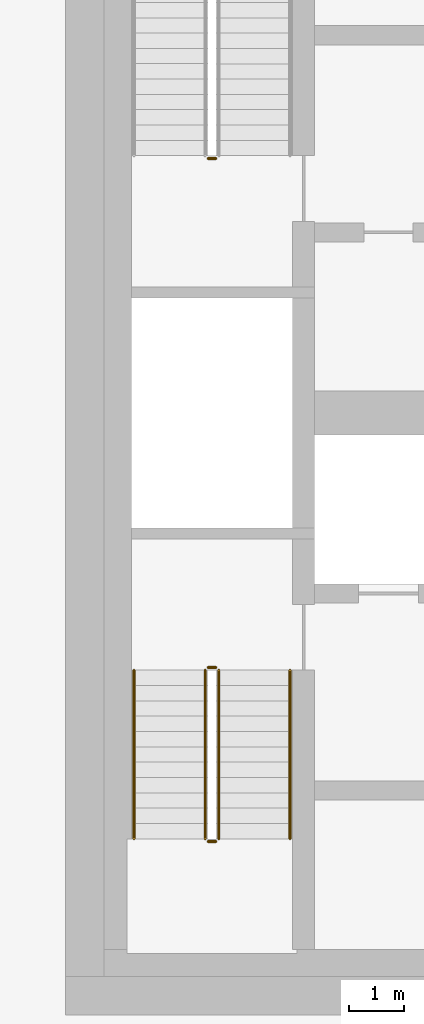
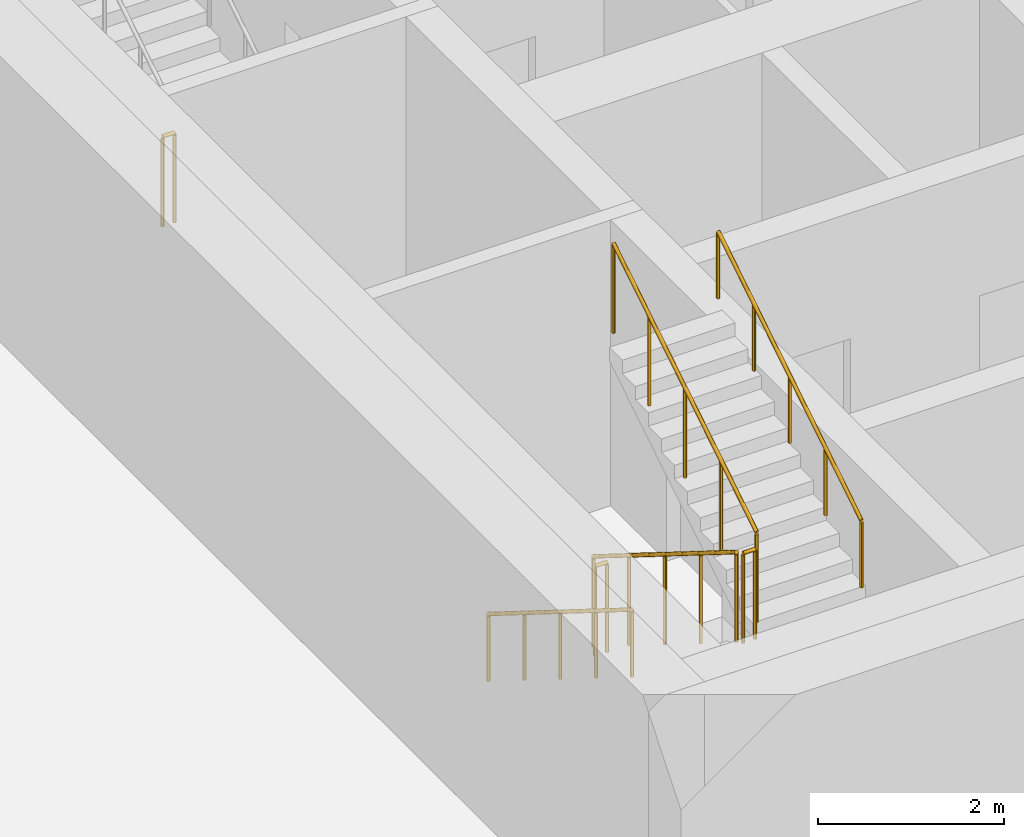
# One storey, part 16 of 21: 7 railings.
"""IFC4 building model written with IfcOpenShell, lengths in metres."""

from ifc_helpers import new_model, si_unit, direction, frame, origin, origin_2d, place, context, subcontext, project, spatial, circle, extrude, material, type_object, element, save


model = new_model("IFC4")

# Units and contexts
model_context = context("Model", 3, precision=1e-05, world=origin(), true_north=direction((0.0, 1.0)))
body_context = subcontext(model_context, "Body", "Model", "MODEL_VIEW")
ifc_project = project(units=[si_unit("LENGTHUNIT", "METRE"), si_unit("AREAUNIT", "SQUARE_METRE"), si_unit("VOLUMEUNIT", "CUBIC_METRE"), si_unit("PLANEANGLEUNIT", "RADIAN"), si_unit("MASSUNIT", "GRAM", prefix="KILO")], contexts=[model_context])

# Site, building, storey
site_placement = place(None, origin())
site = spatial("IfcSite", under=ifc_project, at=site_placement, CompositionType="ELEMENT")
building_placement = place(site_placement, origin())
building = spatial("IfcBuilding", under=site, at=building_placement, Name="Dongbaek Canopy Tower", CompositionType="ELEMENT")
storey_placement = place(building_placement, frame((0.0, 0.0, 232.800048828125)))
storey = spatial("IfcBuildingStorey", under=building, at=storey_placement, Name="L48", CompositionType="ELEMENT", Elevation=232.800048828125)

# Railings
ifc_material_1 = material(Name="Stainless steel tube and balusters", Category="steel")
railing_type_1 = type_object("IfcRailingType", Name="Stair guard 1200", PredefinedType="GUARDRAIL", material=ifc_material_1)
railing_1_placement = place(storey_placement, frame((-11.25, 4.64990234375, 0.0)))
element("IfcRailing", 1, at=railing_1_placement, inside=storey, type_object=railing_type_1, Name="L48 ST-C stair guard 4", PredefinedType="GUARDRAIL", context=body_context, shape_type="SweptSolid", body=[
    extrude(circle(Radius=0.02392578125, at=origin_2d()), frame((0.0, 0.0, 1.17578125), z_axis=(-1.0, 0.0, 0.0), x_axis=(0.0, -1.0, 0.0)), (0.0, 0.0, 1.0), 0.14990234375),
    extrude(circle(Radius=0.02099609375, at=origin_2d()), origin(), (0.0, 0.0, 1.0), 1.15185546875),
    extrude(circle(Radius=0.02099609375, at=origin_2d()), frame((-0.14990234375, 0.0, 0.0)), (0.0, 0.0, 1.0), 1.15185546875),
])
railing_2_placement = place(storey_placement, frame((-11.449951171875, -4.699951171875, 0.175048828125)))
element("IfcRailing", 2, at=railing_2_placement, inside=storey, type_object=railing_type_1, Name="L48 ST-D stair guard 1", PredefinedType="GUARDRAIL", context=body_context, shape_type="SweptSolid", body=[
    extrude(circle(Radius=0.02392578125, at=origin_2d()), frame((0.0, 0.0, 1.17578125), z_axis=(0.0, -0.848028513186, 0.529950602248), x_axis=(1.0, 0.0, 0.0)), (0.0, 0.0, 1.0), 3.632080078125),
    extrude(circle(Radius=0.02099609375, at=origin_2d()), origin(), (0.0, 0.0, 1.0), 1.15185546875),
    extrude(circle(Radius=0.02099609375, at=origin_2d()), frame((0.0, -0.77001953125, 0.481201171875)), (0.0, 0.0, 1.0), 1.15185546875),
    extrude(circle(Radius=0.02099609375, at=origin_2d()), frame((0.0, -1.5400390625, 0.96240234375)), (0.0, 0.0, 1.0), 1.15185546875),
    extrude(circle(Radius=0.02099609375, at=origin_2d()), frame((0.0, -2.31005859375, 1.443603515625)), (0.0, 0.0, 1.0), 1.15185546875),
    extrude(circle(Radius=0.02099609375, at=origin_2d()), frame((0.0, -3.080078125, 1.9248046875)), (0.0, 0.0, 1.0), 1.15185546875),
])
railing_3_placement = place(storey_placement, frame((-11.39990234375, -7.830078125, 2.099853515625)))
element("IfcRailing", 3, at=railing_3_placement, inside=storey, type_object=railing_type_1, Name="L48 ST-D stair guard 2", PredefinedType="GUARDRAIL", context=body_context, shape_type="SweptSolid", body=[
    extrude(circle(Radius=0.02392578125, at=origin_2d()), frame((0.0, 0.0, 1.17578125), z_axis=(1.0, 0.0, 0.0), x_axis=(0.0, 1.0, 0.0)), (0.0, 0.0, 1.0), 0.14990234375),
    extrude(circle(Radius=0.02099609375, at=origin_2d()), origin(), (0.0, 0.0, 1.0), 1.15185546875),
    extrude(circle(Radius=0.02099609375, at=origin_2d()), frame((0.14990234375, 0.0, 0.0)), (0.0, 0.0, 1.0), 1.15185546875),
])
railing_4_placement = place(storey_placement, frame((-11.199951171875, -7.780029296875, 2.27490234375)))
element("IfcRailing", 4, at=railing_4_placement, inside=storey, type_object=railing_type_1, Name="L48 ST-D stair guard 3", PredefinedType="GUARDRAIL", context=body_context, shape_type="SweptSolid", body=[
    extrude(circle(Radius=0.02392578125, at=origin_2d()), frame((0.0, 0.0, 1.17578125), z_axis=(0.0, 0.847998304005, 0.529998940003), x_axis=(-1.0, 0.0, 0.0)), (0.0, 0.0, 1.0), 3.632080078125),
    extrude(circle(Radius=0.02099609375, at=origin_2d()), origin(), (0.0, 0.0, 1.0), 1.15185546875),
    extrude(circle(Radius=0.02099609375, at=origin_2d()), frame((0.0, 0.77001953125, 0.481201171875)), (0.0, 0.0, 1.0), 1.15185546875),
    extrude(circle(Radius=0.02099609375, at=origin_2d()), frame((0.0, 1.5400390625, 0.96240234375)), (0.0, 0.0, 1.0), 1.15185546875),
    extrude(circle(Radius=0.02099609375, at=origin_2d()), frame((0.0, 2.31005859375, 1.44384765625)), (0.0, 0.0, 1.0), 1.15185546875),
    extrude(circle(Radius=0.02099609375, at=origin_2d()), frame((0.0, 3.080078125, 1.925048828125)), (0.0, 0.0, 1.0), 1.15185546875),
])
railing_5_placement = place(storey_placement, frame((-11.39990234375, -4.64990234375, 0.0)))
element("IfcRailing", 5, at=railing_5_placement, inside=storey, type_object=railing_type_1, Name="L48 ST-D stair guard 4", PredefinedType="GUARDRAIL", context=body_context, shape_type="SweptSolid", body=[
    extrude(circle(Radius=0.02392578125, at=origin_2d()), frame((0.0, 0.0, 1.17578125), z_axis=(1.0, 0.0, 0.0), x_axis=(0.0, 1.0, 0.0)), (0.0, 0.0, 1.0), 0.14990234375),
    extrude(circle(Radius=0.02099609375, at=origin_2d()), origin(), (0.0, 0.0, 1.0), 1.15185546875),
    extrude(circle(Radius=0.02099609375, at=origin_2d()), frame((0.14990234375, 0.0, 0.0)), (0.0, 0.0, 1.0), 1.15185546875),
])
ifc_material_2 = material(Name="Stainless steel tube", Category="steel")
railing_type_2 = type_object("IfcRailingType", Name="Stair handrail 900", PredefinedType="HANDRAIL", material=ifc_material_2)
railing_6_placement = place(storey_placement, frame((-12.75, -4.699951171875, 0.175048828125)))
element("IfcRailing", 6, at=railing_6_placement, inside=storey, type_object=railing_type_2, Name="L48 ST-D stair handrail 1", PredefinedType="HANDRAIL", context=body_context, shape_type="SweptSolid", body=[
    extrude(circle(Radius=0.02392578125, at=origin_2d()), frame((0.0, 0.0, 0.8759765625), z_axis=(0.0, -0.848028513186, 0.529950602248), x_axis=(1.0, 0.0, 0.0)), (0.0, 0.0, 1.0), 3.632080078125),
    extrude(circle(Radius=0.02099609375, at=origin_2d()), origin(), (0.0, 0.0, 1.0), 0.851806640625),
    extrude(circle(Radius=0.02099609375, at=origin_2d()), frame((0.0, -0.77001953125, 0.481201171875)), (0.0, 0.0, 1.0), 0.851806640625),
    extrude(circle(Radius=0.02099609375, at=origin_2d()), frame((0.0, -1.5400390625, 0.96240234375)), (0.0, 0.0, 1.0), 0.851806640625),
    extrude(circle(Radius=0.02099609375, at=origin_2d()), frame((0.0, -2.31005859375, 1.443603515625)), (0.0, 0.0, 1.0), 0.851806640625),
    extrude(circle(Radius=0.02099609375, at=origin_2d()), frame((0.0, -3.080078125, 1.9248046875)), (0.0, 0.0, 1.0), 0.851806640625),
])
railing_7_placement = place(storey_placement, frame((-9.89990234375, -7.780029296875, 2.27490234375)))
element("IfcRailing", 7, at=railing_7_placement, inside=storey, type_object=railing_type_2, Name="L48 ST-D stair handrail 2", PredefinedType="HANDRAIL", context=body_context, shape_type="SweptSolid", body=[
    extrude(circle(Radius=0.02392578125, at=origin_2d()), frame((0.0, 0.0, 0.8759765625), z_axis=(0.0, 0.847998304005, 0.529998940003), x_axis=(-1.0, 0.0, 0.0)), (0.0, 0.0, 1.0), 3.632080078125),
    extrude(circle(Radius=0.02099609375, at=origin_2d()), origin(), (0.0, 0.0, 1.0), 0.851806640625),
    extrude(circle(Radius=0.02099609375, at=origin_2d()), frame((0.0, 0.77001953125, 0.481201171875)), (0.0, 0.0, 1.0), 0.851806640625),
    extrude(circle(Radius=0.02099609375, at=origin_2d()), frame((0.0, 1.5400390625, 0.96240234375)), (0.0, 0.0, 1.0), 0.851806640625),
    extrude(circle(Radius=0.02099609375, at=origin_2d()), frame((0.0, 2.31005859375, 1.44384765625)), (0.0, 0.0, 1.0), 0.851806640625),
    extrude(circle(Radius=0.02099609375, at=origin_2d()), frame((0.0, 3.080078125, 1.925048828125)), (0.0, 0.0, 1.0), 0.851806640625),
])

save(model, "model.ifc")
